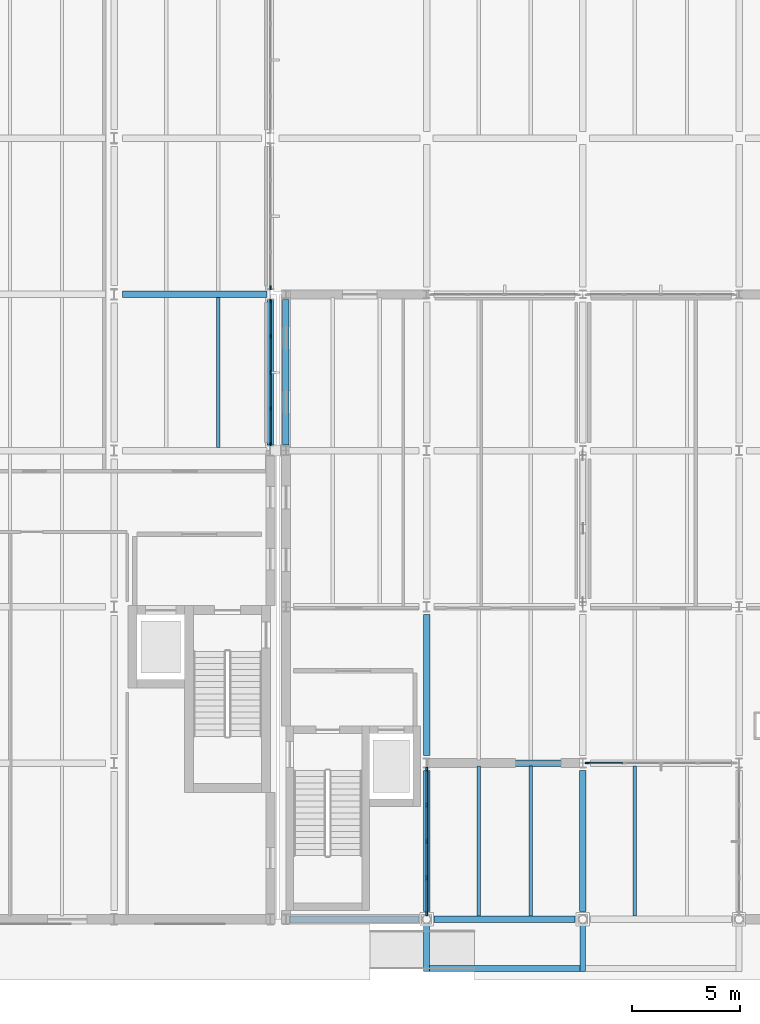
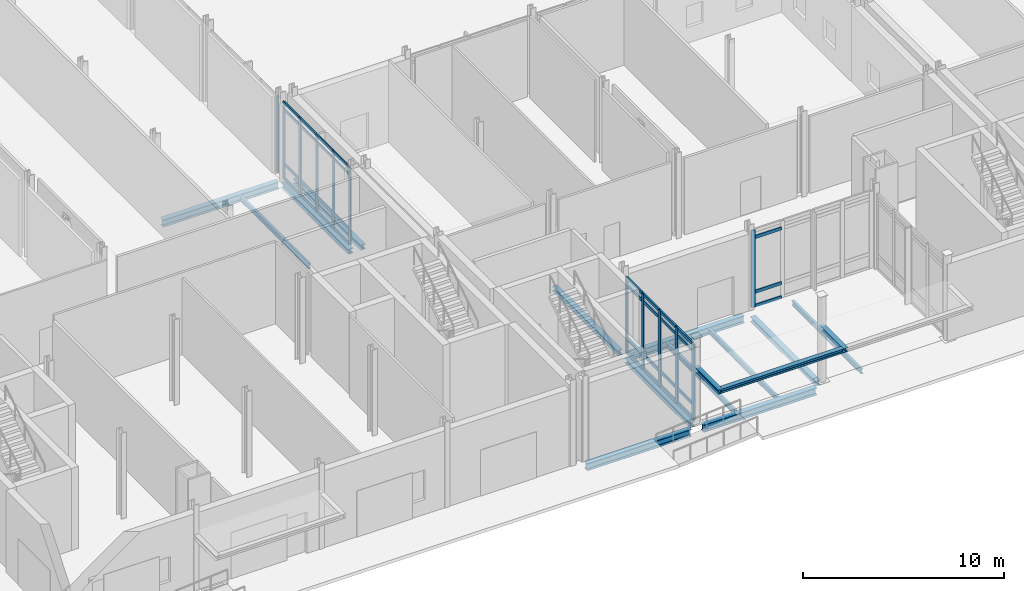
# One storey, part 13 of 89: 47 members, 16 beams, 4 elements without a shape of their own.
"""IFC4 building model written with IfcOpenShell, lengths in metres."""

from ifc_helpers import new_model, si_unit, direction, frame, origin, origin_2d, place, context, subcontext, project, spatial, rectangle, i_section, extrude, material, layer, layer_set, material_profile, profile_set, type_object, element, aggregate, save


model = new_model("IFC4")

# Units and contexts
model_context = context("Model", 3, precision=1e-05, world=origin(), true_north=direction((0.0, 1.0)))
body_context = subcontext(model_context, "Body", "Model", "MODEL_VIEW")
ifc_project = project(units=[si_unit("LENGTHUNIT", "METRE"), si_unit("AREAUNIT", "SQUARE_METRE"), si_unit("VOLUMEUNIT", "CUBIC_METRE"), si_unit("PLANEANGLEUNIT", "RADIAN"), si_unit("MASSUNIT", "GRAM", prefix="KILO")], contexts=[model_context])

# Site, building, storey
site_placement = place(None, origin())
site = spatial("IfcSite", under=ifc_project, at=site_placement, CompositionType="ELEMENT")
building_placement = place(site_placement, origin())
building = spatial("IfcBuilding", under=site, at=building_placement, Name="Zarrinpeak Specialist Clinic", CompositionType="ELEMENT")
storey_placement = place(building_placement, origin())
storey = spatial("IfcBuildingStorey", under=building, at=storey_placement, Name="L00", CompositionType="ELEMENT", Elevation=0.0)

# Beams
ifc_material_1 = material(Name="Steel S355", Category="steel")
ifc_material_profile_1 = material_profile(ifc_material_1, i_section(OverallWidth=0.260009765625, OverallDepth=0.25, WebThickness=0.007568359375, FlangeThickness=0.012451171875, FilletRadius=0.02392578125, at=origin_2d()), Name="HEA 260")
ifc_profile_set_1 = profile_set([ifc_material_profile_1], Name="Steel S355")
beam_type_1 = type_object("IfcBeamType", Name="BM-HEA260", PredefinedType="BEAM", material=ifc_profile_set_1)
for number, where, z_axis, x_axis, name in (
    (1, (36.0, 0.0, 3.27490234375), (0.0, -1.0, 0.0), (1.0, 0.0, 0.0), "V2 Promenade Arrival Loggia Forecourt Canopy Cantilever Bracket Beam 04"),
    (2, (43.199951171875, 0.0, 3.27490234375), (0.0, -1.0, 0.0), (1.0, 0.0, 0.0), "V2 Promenade Arrival Loggia Forecourt Canopy Cantilever Bracket Beam 05"),
):
    element("IfcBeam", number, at=place(storey_placement, frame(where, z_axis=z_axis, x_axis=x_axis)), inside=storey, type_object=beam_type_1, Name=name, PredefinedType="BEAM", context=body_context, shape_type="SweptSolid", body=[
        extrude(i_section(OverallWidth=0.260009765625, OverallDepth=0.25, WebThickness=0.007568359375, FlangeThickness=0.012451171875, FilletRadius=0.02392578125, at=origin_2d()), origin(), (0.0, 0.0, 1.0), 2.39990234375),
    ])
beam_1_placement = place(storey_placement, frame((36.1298828125, -2.27001953125, 3.27490234375), z_axis=(1.0, 0.0, 0.0), x_axis=(0.0, 1.0, 0.0)))
element("IfcBeam", 3, at=beam_1_placement, inside=storey, type_object=beam_type_1, Name="V2 Promenade Arrival Loggia Forecourt Canopy Front Edge Tie Beam 07", PredefinedType="BEAM", context=body_context, shape_type="SweptSolid", body=[
    extrude(i_section(OverallWidth=0.260009765625, OverallDepth=0.25, WebThickness=0.007568359375, FlangeThickness=0.012451171875, FilletRadius=0.02392578125, at=origin_2d()), origin(), (0.0, 0.0, 1.0), 6.940185546875),
])
ifc_material_profile_2 = material_profile(ifc_material_1, i_section(OverallWidth=0.300048828125, OverallDepth=0.2900390625, WebThickness=0.008544921875, FlangeThickness=0.013916015625, FilletRadius=0.027099609375, at=origin_2d()), Name="HEA 300")
ifc_profile_set_2 = profile_set([ifc_material_profile_2], Name="Steel S355")
beam_type_2 = type_object("IfcBeamType", Name="BM-HEA300", PredefinedType="BEAM", material=ifc_profile_set_2)
for number, where, z_axis, x_axis, name in (
    (4, (28.800048828125, 21.847900390625, -0.39501953125), (0.0, 1.0, 0.0), (-1.0, 0.0, 0.0), "L00 Primary Beam BM-L00-Y0254"),
    (5, (29.52001953125, 21.847900390625, -0.39501953125), (0.0, 1.0, 0.0), (-1.0, 0.0, 0.0), "L00 Primary Beam BM-L00-Y0262"),
):
    element("IfcBeam", number, at=place(storey_placement, frame(where, z_axis=z_axis, x_axis=x_axis)), inside=storey, type_object=beam_type_2, Name=name, PredefinedType="BEAM", context=body_context, shape_type="SweptSolid", body=[
        extrude(i_section(OverallWidth=0.300048828125, OverallDepth=0.2900390625, WebThickness=0.008544921875, FlangeThickness=0.013916015625, FilletRadius=0.027099609375, at=origin_2d()), origin(), (0.0, 0.0, 1.0), 6.7041015625),
    ])
beam_2_placement = place(storey_placement, frame((36.0, 0.347900390625, -0.39501953125), z_axis=(0.0, 1.0, 0.0), x_axis=(-1.0, 0.0, 0.0)))
element("IfcBeam", 6, at=beam_2_placement, inside=storey, type_object=beam_type_2, Name="L00 Primary Beam BM-L00-Y0263", PredefinedType="BEAM", context=body_context, shape_type="SweptSolid", body=[
    extrude(i_section(OverallWidth=0.300048828125, OverallDepth=0.2900390625, WebThickness=0.008544921875, FlangeThickness=0.013916015625, FilletRadius=0.027099609375, at=origin_2d()), origin(), (0.0, 0.0, 1.0), 6.504150390625),
])
beam_3_placement = place(storey_placement, frame((36.0, 7.548095703125, -0.39501953125), z_axis=(0.0, 1.0, 0.0), x_axis=(-1.0, 0.0, 0.0)))
element("IfcBeam", 7, at=beam_3_placement, inside=storey, type_object=beam_type_2, Name="L00 Primary Beam BM-L00-Y0264", PredefinedType="BEAM", context=body_context, shape_type="SweptSolid", body=[
    extrude(i_section(OverallWidth=0.300048828125, OverallDepth=0.2900390625, WebThickness=0.008544921875, FlangeThickness=0.013916015625, FilletRadius=0.027099609375, at=origin_2d()), origin(), (0.0, 0.0, 1.0), 6.50390625),
])
beam_4_placement = place(storey_placement, frame((43.199951171875, 0.347900390625, -0.39501953125), z_axis=(0.0, 1.0, 0.0), x_axis=(-1.0, 0.0, 0.0)))
element("IfcBeam", 8, at=beam_4_placement, inside=storey, type_object=beam_type_2, Name="L00 Primary Beam BM-L00-Y0278", PredefinedType="BEAM", context=body_context, shape_type="SweptSolid", body=[
    extrude(i_section(OverallWidth=0.300048828125, OverallDepth=0.2900390625, WebThickness=0.008544921875, FlangeThickness=0.013916015625, FilletRadius=0.027099609375, at=origin_2d()), origin(), (0.0, 0.0, 1.0), 6.504150390625),
])
ifc_material_profile_3 = material_profile(ifc_material_1, i_section(OverallWidth=0.300048828125, OverallDepth=0.43994140625, WebThickness=0.011474609375, FlangeThickness=0.02099609375, FilletRadius=0.027099609375, at=origin_2d()), Name="HEA 450")
ifc_profile_set_3 = profile_set([ifc_material_profile_3], Name="Steel S355")
beam_type_3 = type_object("IfcBeamType", Name="BM-HEA450", PredefinedType="BEAM", material=ifc_profile_set_3)
beam_5_placement = place(storey_placement, frame((29.66796875, 0.0, -0.469970703125), z_axis=(1.0, 0.0, 0.0), x_axis=(0.0, 1.0, 0.0)))
element("IfcBeam", 9, at=beam_5_placement, inside=storey, type_object=beam_type_3, Name="L00 Primary Floor Girder BM-L00-X0005", PredefinedType="BEAM", context=body_context, shape_type="SweptSolid", body=[
    extrude(i_section(OverallWidth=0.300048828125, OverallDepth=0.43994140625, WebThickness=0.011474609375, FlangeThickness=0.02099609375, FilletRadius=0.027099609375, at=origin_2d()), origin(), (0.0, 0.0, 1.0), 5.984130859375),
])
for number, where, z_axis, x_axis, name in (
    (10, (36.347900390625, 0.0, -0.469970703125), (1.0, 0.0, 0.0), (0.0, 1.0, 0.0), "L00 Primary Floor Girder BM-L00-X0006"),
    (11, (36.347900390625, 7.199951171875, -0.469970703125), (1.0, 0.0, 0.0), (0.0, 1.0, 0.0), "L00 Primary Floor Girder BM-L00-X0015"),
):
    element("IfcBeam", number, at=place(storey_placement, frame(where, z_axis=z_axis, x_axis=x_axis)), inside=storey, type_object=beam_type_3, Name=name, PredefinedType="BEAM", context=body_context, shape_type="SweptSolid", body=[
        extrude(i_section(OverallWidth=0.300048828125, OverallDepth=0.43994140625, WebThickness=0.011474609375, FlangeThickness=0.02099609375, FilletRadius=0.027099609375, at=origin_2d()), origin(), (0.0, 0.0, 1.0), 6.504150390625),
    ])
beam_6_placement = place(storey_placement, frame((21.998046875, 28.800048828125, -0.469970703125), z_axis=(1.0, 0.0, 0.0), x_axis=(0.0, 1.0, 0.0)))
element("IfcBeam", 12, at=beam_6_placement, inside=storey, type_object=beam_type_3, Name="L00 Primary Floor Girder BM-L00-X0043", PredefinedType="BEAM", context=body_context, shape_type="SweptSolid", body=[
    extrude(i_section(OverallWidth=0.300048828125, OverallDepth=0.43994140625, WebThickness=0.011474609375, FlangeThickness=0.02099609375, FilletRadius=0.027099609375, at=origin_2d()), origin(), (0.0, 0.0, 1.0), 6.654052734375),
])
ifc_material_profile_4 = material_profile(ifc_material_1, i_section(OverallWidth=0.14990234375, OverallDepth=0.300048828125, WebThickness=0.007080078125, FlangeThickness=0.0107421875, FilletRadius=0.014892578125, at=origin_2d()), Name="IPE 300")
ifc_profile_set_4 = profile_set([ifc_material_profile_4], Name="Steel S355")
beam_type_4 = type_object("IfcBeamType", Name="BM-JST300", PredefinedType="JOIST", material=ifc_profile_set_4)
for number, where, z_axis, x_axis, name in (
    (13, (26.39990234375, 21.748046875, -0.39990234375), (0.0, 1.0, 0.0), (-1.0, 0.0, 0.0), "L00 Composite Floor Joist JST-L00-0450"),
    (14, (38.39990234375, 0.14794921875, -0.39990234375), (0.0, 1.0, 0.0), (-1.0, 0.0, 0.0), "L00 Composite Floor Joist JST-L00-0461"),
    (15, (40.800048828125, 0.14794921875, -0.39990234375), (0.0, 1.0, 0.0), (-1.0, 0.0, 0.0), "L00 Composite Floor Joist JST-L00-0462"),
    (16, (45.60009765625, 0.14794921875, -0.39990234375), (0.0, 1.0, 0.0), (-1.0, 0.0, 0.0), "L00 Composite Floor Joist JST-L00-0469"),
):
    element("IfcBeam", number, at=place(storey_placement, frame(where, z_axis=z_axis, x_axis=x_axis)), inside=storey, type_object=beam_type_4, Name=name, PredefinedType="JOIST", context=body_context, shape_type="SweptSolid", body=[
        extrude(i_section(OverallWidth=0.14990234375, OverallDepth=0.300048828125, WebThickness=0.007080078125, FlangeThickness=0.0107421875, FilletRadius=0.014892578125, at=origin_2d()), origin(), (0.0, 0.0, 1.0), 6.904052734375),
    ])

# Curtain wall, members
ifc_material_2 = material(Name="Anodised Aluminium Alloy 6063-T6", Category="aluminium")
ifc_layer_1 = layer(ifc_material_2, 0.179931640625)
ifc_layer_set_1 = layer_set([ifc_layer_1], Name="Anodised Aluminium Alloy 6063-T6")
curtain_wall_type_1 = type_object("IfcCurtainWallType", Name="CW-COURT", PredefinedType="NOTDEFINED", material=ifc_layer_set_1)
curtain_wall_1_placement = place(storey_placement, origin())
curtain_wall_1 = element("IfcCurtainWall", 17, at=curtain_wall_1_placement, inside=storey, type_object=curtain_wall_type_1, Name="L00 V1 Unitised Curtain Wall CW-L00-V1-003", PredefinedType="NOTDEFINED")
ifc_material_profile_5 = material_profile(ifc_material_2, rectangle(XDim=0.074951171875, YDim=0.179931640625, at=origin_2d()), Name="ALU 75x180")
ifc_profile_set_5 = profile_set([ifc_material_profile_5], Name="Anodised Aluminium Alloy 6063-T6")
member_type_1 = type_object("IfcMemberType", Name="CWM-75", PredefinedType="MULLION", material=ifc_profile_set_5)
member_1_placement = place(storey_placement, frame((28.800048828125, 21.91259765625, 0.0), z_axis=(0.0, 0.0, 1.0), x_axis=(-1.0, 0.0, 0.0)))
member_1 = element("IfcMember", 18, at=member_1_placement, type_object=member_type_1, Name="CW-01 mullion 1", PredefinedType="MULLION", context=body_context, shape_type="SweptSolid", body=[
    extrude(rectangle(XDim=0.074951171875, YDim=0.179931640625, at=origin_2d()), origin(), (0.0, 0.0, 1.0), 4.6650390625),
])
member_2_placement = place(storey_placement, frame((28.800048828125, 23.53759765625, 0.0), z_axis=(0.0, 0.0, 1.0), x_axis=(-1.0, 0.0, 0.0)))
member_2 = element("IfcMember", 19, at=member_2_placement, type_object=member_type_1, Name="CW-01 mullion 2", PredefinedType="MULLION", context=body_context, shape_type="SweptSolid", body=[
    extrude(rectangle(XDim=0.074951171875, YDim=0.179931640625, at=origin_2d()), origin(), (0.0, 0.0, 1.0), 4.6650390625),
])
member_3_placement = place(storey_placement, frame((28.800048828125, 25.199951171875, 0.0), z_axis=(0.0, 0.0, 1.0), x_axis=(-1.0, 0.0, 0.0)))
member_3 = element("IfcMember", 20, at=member_3_placement, type_object=member_type_1, Name="CW-01 mullion 3", PredefinedType="MULLION", context=body_context, shape_type="SweptSolid", body=[
    extrude(rectangle(XDim=0.074951171875, YDim=0.179931640625, at=origin_2d()), origin(), (0.0, 0.0, 1.0), 4.6650390625),
])
member_4_placement = place(storey_placement, frame((28.800048828125, 26.862548828125, 0.0), z_axis=(0.0, 0.0, 1.0), x_axis=(-1.0, 0.0, 0.0)))
member_4 = element("IfcMember", 21, at=member_4_placement, type_object=member_type_1, Name="CW-01 mullion 4", PredefinedType="MULLION", context=body_context, shape_type="SweptSolid", body=[
    extrude(rectangle(XDim=0.074951171875, YDim=0.179931640625, at=origin_2d()), origin(), (0.0, 0.0, 1.0), 4.6650390625),
])
member_5_placement = place(storey_placement, frame((28.800048828125, 28.487548828125, 0.0), z_axis=(0.0, 0.0, 1.0), x_axis=(-1.0, 0.0, 0.0)))
member_5 = element("IfcMember", 22, at=member_5_placement, type_object=member_type_1, Name="CW-01 mullion 5", PredefinedType="MULLION", context=body_context, shape_type="SweptSolid", body=[
    extrude(rectangle(XDim=0.074951171875, YDim=0.179931640625, at=origin_2d()), origin(), (0.0, 0.0, 1.0), 4.6650390625),
])

# Curtain wall, member
curtain_wall_2_placement = place(storey_placement, origin())
curtain_wall_2 = element("IfcCurtainWall", 23, at=curtain_wall_2_placement, inside=storey, type_object=curtain_wall_type_1, Name="L00 V1 Unitised Curtain Wall CW-L00-V1-004", PredefinedType="NOTDEFINED")
member_6_placement = place(storey_placement, frame((28.800048828125, 29.112548828125, 0.0), z_axis=(0.0, 0.0, 1.0), x_axis=(-1.0, 0.0, 0.0)))
member_6 = element("IfcMember", 24, at=member_6_placement, type_object=member_type_1, Name="CW-01 mullion 1", PredefinedType="MULLION", context=body_context, shape_type="SweptSolid", body=[
    extrude(rectangle(XDim=0.074951171875, YDim=0.179931640625, at=origin_2d()), origin(), (0.0, 0.0, 1.0), 4.594970703125),
])
aggregate(curtain_wall_2, [member_6])

ifc_layer_2 = layer(ifc_material_2, 0.18994140625)
ifc_layer_set_2 = layer_set([ifc_layer_2], Name="Anodised Aluminium Alloy 6063-T6")
curtain_wall_type_2 = type_object("IfcCurtainWallType", Name="CW-LOGGIA", PredefinedType="NOTDEFINED", material=ifc_layer_set_2)
curtain_wall_3_placement = place(storey_placement, origin())
curtain_wall_3 = element("IfcCurtainWall", 25, at=curtain_wall_3_placement, inside=storey, type_object=curtain_wall_type_2, Name="L00 V2 Unitised Curtain Wall CW-L00-V2-040", PredefinedType="NOTDEFINED")
ifc_material_profile_6 = material_profile(ifc_material_2, rectangle(XDim=0.090087890625, YDim=0.219970703125, at=origin_2d()), Name="ALU 90x220")
ifc_profile_set_6 = profile_set([ifc_material_profile_6], Name="Anodised Aluminium Alloy 6063-T6")
member_type_2 = type_object("IfcMemberType", Name="CWM-90", PredefinedType="MULLION", material=ifc_profile_set_6)
member_7_placement = place(storey_placement, frame((43.419921875, 7.199951171875, 0.0), z_axis=(0.0, 0.0, 1.0), x_axis=(0.0, 1.0, 0.0)))
member_7 = element("IfcMember", 26, at=member_7_placement, type_object=member_type_2, Name="CW-04 mullion 1", PredefinedType="MULLION", context=body_context, shape_type="SweptSolid", body=[
    extrude(rectangle(XDim=0.090087890625, YDim=0.219970703125, at=origin_2d()), origin(), (0.0, 0.0, 1.0), 4.6650390625),
])

# Curtain wall, members
curtain_wall_4_placement = place(storey_placement, origin())
curtain_wall_4 = element("IfcCurtainWall", 27, at=curtain_wall_4_placement, inside=storey, type_object=curtain_wall_type_2, Name="L00 V2 Unitised Curtain Wall CW-L00-V2-041", PredefinedType="NOTDEFINED")
member_8_placement = place(storey_placement, frame((36.0, 0.273193359375, 0.0), z_axis=(0.0, 0.0, 1.0), x_axis=(-1.0, 0.0, 0.0)))
member_8 = element("IfcMember", 28, at=member_8_placement, type_object=member_type_2, Name="CW-04 mullion 1", PredefinedType="MULLION", context=body_context, shape_type="SweptSolid", body=[
    extrude(rectangle(XDim=0.090087890625, YDim=0.219970703125, at=origin_2d()), origin(), (0.0, 0.0, 1.0), 4.594970703125),
])
member_9_placement = place(storey_placement, frame((36.0, 1.90869140625, 0.0), z_axis=(0.0, 0.0, 1.0), x_axis=(-1.0, 0.0, 0.0)))
member_9 = element("IfcMember", 29, at=member_9_placement, type_object=member_type_2, Name="CW-04 mullion 2", PredefinedType="MULLION", context=body_context, shape_type="SweptSolid", body=[
    extrude(rectangle(XDim=0.090087890625, YDim=0.219970703125, at=origin_2d()), origin(), (0.0, 0.0, 1.0), 4.594970703125),
])
member_10_placement = place(storey_placement, frame((36.0, 3.589111328125, 0.0), z_axis=(0.0, 0.0, 1.0), x_axis=(-1.0, 0.0, 0.0)))
member_10 = element("IfcMember", 30, at=member_10_placement, type_object=member_type_2, Name="CW-04 mullion 3", PredefinedType="MULLION", context=body_context, shape_type="SweptSolid", body=[
    extrude(rectangle(XDim=0.090087890625, YDim=0.219970703125, at=origin_2d()), origin(), (0.0, 0.0, 1.0), 4.594970703125),
])
member_11_placement = place(storey_placement, frame((36.0, 5.26953125, 0.0), z_axis=(0.0, 0.0, 1.0), x_axis=(-1.0, 0.0, 0.0)))
member_11 = element("IfcMember", 31, at=member_11_placement, type_object=member_type_2, Name="CW-04 mullion 4", PredefinedType="MULLION", context=body_context, shape_type="SweptSolid", body=[
    extrude(rectangle(XDim=0.090087890625, YDim=0.219970703125, at=origin_2d()), origin(), (0.0, 0.0, 1.0), 4.594970703125),
])
member_12_placement = place(storey_placement, frame((36.0, 6.905029296875, 0.0), z_axis=(0.0, 0.0, 1.0), x_axis=(-1.0, 0.0, 0.0)))
member_12 = element("IfcMember", 32, at=member_12_placement, type_object=member_type_2, Name="CW-04 mullion 5", PredefinedType="MULLION", context=body_context, shape_type="SweptSolid", body=[
    extrude(rectangle(XDim=0.090087890625, YDim=0.219970703125, at=origin_2d()), origin(), (0.0, 0.0, 1.0), 4.594970703125),
])

# Member
ifc_material_profile_7 = material_profile(ifc_material_2, rectangle(XDim=0.074951171875, YDim=0.159912109375, at=origin_2d()), Name="ALU 75x160")
ifc_profile_set_7 = profile_set([ifc_material_profile_7], Name="Anodised Aluminium Alloy 6063-T6")
member_type_3 = type_object("IfcMemberType", Name="CWT-75", PredefinedType="USERDEFINED", material=ifc_profile_set_7)
member_13_placement = place(storey_placement, frame((28.800048828125, 21.949951171875, 0.03759765625), z_axis=(0.0, 1.0, 0.0), x_axis=(-1.0, 0.0, 0.0)))
member_13 = element("IfcMember", 33, at=member_13_placement, type_object=member_type_3, Name="CW-01 transom 1.1", ObjectType="TRANSOM", PredefinedType="USERDEFINED", context=body_context, shape_type="SweptSolid", body=[
    extrude(rectangle(XDim=0.074951171875, YDim=0.159912109375, at=origin_2d()), origin(), (0.0, 0.0, 1.0), 1.550048828125),
])

member_14_placement = place(storey_placement, frame((28.800048828125, 21.949951171875, 0.89990234375), z_axis=(0.0, 1.0, 0.0), x_axis=(-1.0, 0.0, 0.0)))
member_14 = element("IfcMember", 34, at=member_14_placement, type_object=member_type_3, Name="CW-01 transom 1.2", ObjectType="TRANSOM", PredefinedType="USERDEFINED", context=body_context, shape_type="SweptSolid", body=[
    extrude(rectangle(XDim=0.074951171875, YDim=0.159912109375, at=origin_2d()), origin(), (0.0, 0.0, 1.0), 1.550048828125),
])

member_15_placement = place(storey_placement, frame((28.800048828125, 21.949951171875, 4.215087890625), z_axis=(0.0, 1.0, 0.0), x_axis=(-1.0, 0.0, 0.0)))
member_15 = element("IfcMember", 35, at=member_15_placement, type_object=member_type_3, Name="CW-01 transom 1.3", ObjectType="TRANSOM", PredefinedType="USERDEFINED", context=body_context, shape_type="SweptSolid", body=[
    extrude(rectangle(XDim=0.074951171875, YDim=0.159912109375, at=origin_2d()), origin(), (0.0, 0.0, 1.0), 1.550048828125),
])

member_16_placement = place(storey_placement, frame((28.800048828125, 21.949951171875, 4.62744140625), z_axis=(0.0, 1.0, 0.0), x_axis=(-1.0, 0.0, 0.0)))
member_16 = element("IfcMember", 36, at=member_16_placement, type_object=member_type_3, Name="CW-01 transom 1.4", ObjectType="TRANSOM", PredefinedType="USERDEFINED", context=body_context, shape_type="SweptSolid", body=[
    extrude(rectangle(XDim=0.074951171875, YDim=0.159912109375, at=origin_2d()), origin(), (0.0, 0.0, 1.0), 1.550048828125),
])

member_17_placement = place(storey_placement, frame((28.800048828125, 23.574951171875, 0.03759765625), z_axis=(0.0, 1.0, 0.0), x_axis=(-1.0, 0.0, 0.0)))
member_17 = element("IfcMember", 37, at=member_17_placement, type_object=member_type_3, Name="CW-01 transom 2.1", ObjectType="TRANSOM", PredefinedType="USERDEFINED", context=body_context, shape_type="SweptSolid", body=[
    extrude(rectangle(XDim=0.074951171875, YDim=0.159912109375, at=origin_2d()), origin(), (0.0, 0.0, 1.0), 1.587646484375),
])

member_18_placement = place(storey_placement, frame((28.800048828125, 23.574951171875, 0.89990234375), z_axis=(0.0, 1.0, 0.0), x_axis=(-1.0, 0.0, 0.0)))
member_18 = element("IfcMember", 38, at=member_18_placement, type_object=member_type_3, Name="CW-01 transom 2.2", ObjectType="TRANSOM", PredefinedType="USERDEFINED", context=body_context, shape_type="SweptSolid", body=[
    extrude(rectangle(XDim=0.074951171875, YDim=0.159912109375, at=origin_2d()), origin(), (0.0, 0.0, 1.0), 1.587646484375),
])

member_19_placement = place(storey_placement, frame((28.800048828125, 23.574951171875, 4.215087890625), z_axis=(0.0, 1.0, 0.0), x_axis=(-1.0, 0.0, 0.0)))
member_19 = element("IfcMember", 39, at=member_19_placement, type_object=member_type_3, Name="CW-01 transom 2.3", ObjectType="TRANSOM", PredefinedType="USERDEFINED", context=body_context, shape_type="SweptSolid", body=[
    extrude(rectangle(XDim=0.074951171875, YDim=0.159912109375, at=origin_2d()), origin(), (0.0, 0.0, 1.0), 1.587646484375),
])

member_20_placement = place(storey_placement, frame((28.800048828125, 23.574951171875, 4.62744140625), z_axis=(0.0, 1.0, 0.0), x_axis=(-1.0, 0.0, 0.0)))
member_20 = element("IfcMember", 40, at=member_20_placement, type_object=member_type_3, Name="CW-01 transom 2.4", ObjectType="TRANSOM", PredefinedType="USERDEFINED", context=body_context, shape_type="SweptSolid", body=[
    extrude(rectangle(XDim=0.074951171875, YDim=0.159912109375, at=origin_2d()), origin(), (0.0, 0.0, 1.0), 1.587646484375),
])

member_21_placement = place(storey_placement, frame((28.800048828125, 25.237548828125, 0.03759765625), z_axis=(0.0, 1.0, 0.0), x_axis=(-1.0, 0.0, 0.0)))
member_21 = element("IfcMember", 41, at=member_21_placement, type_object=member_type_3, Name="CW-01 transom 3.1", ObjectType="TRANSOM", PredefinedType="USERDEFINED", context=body_context, shape_type="SweptSolid", body=[
    extrude(rectangle(XDim=0.074951171875, YDim=0.159912109375, at=origin_2d()), origin(), (0.0, 0.0, 1.0), 1.58740234375),
])

member_22_placement = place(storey_placement, frame((28.800048828125, 25.237548828125, 0.89990234375), z_axis=(0.0, 1.0, 0.0), x_axis=(-1.0, 0.0, 0.0)))
member_22 = element("IfcMember", 42, at=member_22_placement, type_object=member_type_3, Name="CW-01 transom 3.2", ObjectType="TRANSOM", PredefinedType="USERDEFINED", context=body_context, shape_type="SweptSolid", body=[
    extrude(rectangle(XDim=0.074951171875, YDim=0.159912109375, at=origin_2d()), origin(), (0.0, 0.0, 1.0), 1.58740234375),
])

member_23_placement = place(storey_placement, frame((28.800048828125, 25.237548828125, 4.215087890625), z_axis=(0.0, 1.0, 0.0), x_axis=(-1.0, 0.0, 0.0)))
member_23 = element("IfcMember", 43, at=member_23_placement, type_object=member_type_3, Name="CW-01 transom 3.3", ObjectType="TRANSOM", PredefinedType="USERDEFINED", context=body_context, shape_type="SweptSolid", body=[
    extrude(rectangle(XDim=0.074951171875, YDim=0.159912109375, at=origin_2d()), origin(), (0.0, 0.0, 1.0), 1.58740234375),
])

member_24_placement = place(storey_placement, frame((28.800048828125, 25.237548828125, 4.62744140625), z_axis=(0.0, 1.0, 0.0), x_axis=(-1.0, 0.0, 0.0)))
member_24 = element("IfcMember", 44, at=member_24_placement, type_object=member_type_3, Name="CW-01 transom 3.4", ObjectType="TRANSOM", PredefinedType="USERDEFINED", context=body_context, shape_type="SweptSolid", body=[
    extrude(rectangle(XDim=0.074951171875, YDim=0.159912109375, at=origin_2d()), origin(), (0.0, 0.0, 1.0), 1.58740234375),
])

member_25_placement = place(storey_placement, frame((28.800048828125, 26.89990234375, 0.03759765625), z_axis=(0.0, 1.0, 0.0), x_axis=(-1.0, 0.0, 0.0)))
member_25 = element("IfcMember", 45, at=member_25_placement, type_object=member_type_3, Name="CW-01 transom 4.1", ObjectType="TRANSOM", PredefinedType="USERDEFINED", context=body_context, shape_type="SweptSolid", body=[
    extrude(rectangle(XDim=0.074951171875, YDim=0.159912109375, at=origin_2d()), origin(), (0.0, 0.0, 1.0), 1.550048828125),
])

member_26_placement = place(storey_placement, frame((28.800048828125, 26.89990234375, 0.89990234375), z_axis=(0.0, 1.0, 0.0), x_axis=(-1.0, 0.0, 0.0)))
member_26 = element("IfcMember", 46, at=member_26_placement, type_object=member_type_3, Name="CW-01 transom 4.2", ObjectType="TRANSOM", PredefinedType="USERDEFINED", context=body_context, shape_type="SweptSolid", body=[
    extrude(rectangle(XDim=0.074951171875, YDim=0.159912109375, at=origin_2d()), origin(), (0.0, 0.0, 1.0), 1.550048828125),
])

member_27_placement = place(storey_placement, frame((28.800048828125, 26.89990234375, 4.215087890625), z_axis=(0.0, 1.0, 0.0), x_axis=(-1.0, 0.0, 0.0)))
member_27 = element("IfcMember", 47, at=member_27_placement, type_object=member_type_3, Name="CW-01 transom 4.3", ObjectType="TRANSOM", PredefinedType="USERDEFINED", context=body_context, shape_type="SweptSolid", body=[
    extrude(rectangle(XDim=0.074951171875, YDim=0.159912109375, at=origin_2d()), origin(), (0.0, 0.0, 1.0), 1.550048828125),
])

member_28_placement = place(storey_placement, frame((28.800048828125, 26.89990234375, 4.62744140625), z_axis=(0.0, 1.0, 0.0), x_axis=(-1.0, 0.0, 0.0)))
member_28 = element("IfcMember", 48, at=member_28_placement, type_object=member_type_3, Name="CW-01 transom 4.4", ObjectType="TRANSOM", PredefinedType="USERDEFINED", context=body_context, shape_type="SweptSolid", body=[
    extrude(rectangle(XDim=0.074951171875, YDim=0.159912109375, at=origin_2d()), origin(), (0.0, 0.0, 1.0), 1.550048828125),
])

aggregate(curtain_wall_1, [member_1, member_2, member_3, member_4, member_5, member_13, member_14, member_15, member_16, member_17, member_18, member_19, member_20, member_21, member_22, member_23, member_24, member_25, member_26, member_27, member_28])

ifc_material_profile_8 = material_profile(ifc_material_2, rectangle(XDim=0.090087890625, YDim=0.18994140625, at=origin_2d()), Name="ALU 90x190")
ifc_profile_set_8 = profile_set([ifc_material_profile_8], Name="Anodised Aluminium Alloy 6063-T6")
member_type_4 = type_object("IfcMemberType", Name="CWT-90", PredefinedType="USERDEFINED", material=ifc_profile_set_8)
member_29_placement = place(storey_placement, frame((43.465087890625, 7.199951171875, 0.044921875), z_axis=(1.0, 0.0, 0.0), x_axis=(0.0, 1.0, 0.0)))
member_29 = element("IfcMember", 49, at=member_29_placement, type_object=member_type_4, Name="CW-04 transom 1.1", ObjectType="TRANSOM", PredefinedType="USERDEFINED", context=body_context, shape_type="SweptSolid", body=[
    extrude(rectangle(XDim=0.090087890625, YDim=0.18994140625, at=origin_2d()), origin(), (0.0, 0.0, 1.0), 1.577392578125),
])

member_30_placement = place(storey_placement, frame((43.465087890625, 7.199951171875, 0.89990234375), z_axis=(1.0, 0.0, 0.0), x_axis=(0.0, 1.0, 0.0)))
member_30 = element("IfcMember", 50, at=member_30_placement, type_object=member_type_4, Name="CW-04 transom 1.2", ObjectType="TRANSOM", PredefinedType="USERDEFINED", context=body_context, shape_type="SweptSolid", body=[
    extrude(rectangle(XDim=0.090087890625, YDim=0.18994140625, at=origin_2d()), origin(), (0.0, 0.0, 1.0), 1.577392578125),
])

member_31_placement = place(storey_placement, frame((43.465087890625, 7.199951171875, 4.215087890625), z_axis=(1.0, 0.0, 0.0), x_axis=(0.0, 1.0, 0.0)))
member_31 = element("IfcMember", 51, at=member_31_placement, type_object=member_type_4, Name="CW-04 transom 1.3", ObjectType="TRANSOM", PredefinedType="USERDEFINED", context=body_context, shape_type="SweptSolid", body=[
    extrude(rectangle(XDim=0.090087890625, YDim=0.18994140625, at=origin_2d()), origin(), (0.0, 0.0, 1.0), 1.577392578125),
])

aggregate(curtain_wall_3, [member_7, member_29, member_30, member_31])

member_32_placement = place(storey_placement, frame((36.0, 0.318115234375, 0.044921875), z_axis=(0.0, 1.0, 0.0), x_axis=(-1.0, 0.0, 0.0)))
member_32 = element("IfcMember", 52, at=member_32_placement, type_object=member_type_4, Name="CW-04 transom 1.1", ObjectType="TRANSOM", PredefinedType="USERDEFINED", context=body_context, shape_type="SweptSolid", body=[
    extrude(rectangle(XDim=0.090087890625, YDim=0.18994140625, at=origin_2d()), origin(), (0.0, 0.0, 1.0), 1.545654296875),
])

member_33_placement = place(storey_placement, frame((36.0, 0.318115234375, 0.89990234375), z_axis=(0.0, 1.0, 0.0), x_axis=(-1.0, 0.0, 0.0)))
member_33 = element("IfcMember", 53, at=member_33_placement, type_object=member_type_4, Name="CW-04 transom 1.2", ObjectType="TRANSOM", PredefinedType="USERDEFINED", context=body_context, shape_type="SweptSolid", body=[
    extrude(rectangle(XDim=0.090087890625, YDim=0.18994140625, at=origin_2d()), origin(), (0.0, 0.0, 1.0), 1.545654296875),
])

member_34_placement = place(storey_placement, frame((36.0, 0.318115234375, 4.14501953125), z_axis=(0.0, 1.0, 0.0), x_axis=(-1.0, 0.0, 0.0)))
member_34 = element("IfcMember", 54, at=member_34_placement, type_object=member_type_4, Name="CW-04 transom 1.3", ObjectType="TRANSOM", PredefinedType="USERDEFINED", context=body_context, shape_type="SweptSolid", body=[
    extrude(rectangle(XDim=0.090087890625, YDim=0.18994140625, at=origin_2d()), origin(), (0.0, 0.0, 1.0), 1.545654296875),
])

member_35_placement = place(storey_placement, frame((36.0, 0.318115234375, 4.550048828125), z_axis=(0.0, 1.0, 0.0), x_axis=(-1.0, 0.0, 0.0)))
member_35 = element("IfcMember", 55, at=member_35_placement, type_object=member_type_4, Name="CW-04 transom 1.4", ObjectType="TRANSOM", PredefinedType="USERDEFINED", context=body_context, shape_type="SweptSolid", body=[
    extrude(rectangle(XDim=0.090087890625, YDim=0.18994140625, at=origin_2d()), origin(), (0.0, 0.0, 1.0), 1.545654296875),
])

member_36_placement = place(storey_placement, frame((36.0, 1.95361328125, 0.044921875), z_axis=(0.0, 1.0, 0.0), x_axis=(-1.0, 0.0, 0.0)))
member_36 = element("IfcMember", 56, at=member_36_placement, type_object=member_type_4, Name="CW-04 transom 2.1", ObjectType="TRANSOM", PredefinedType="USERDEFINED", context=body_context, shape_type="SweptSolid", body=[
    extrude(rectangle(XDim=0.090087890625, YDim=0.18994140625, at=origin_2d()), origin(), (0.0, 0.0, 1.0), 1.590576171875),
])

member_37_placement = place(storey_placement, frame((36.0, 1.95361328125, 0.89990234375), z_axis=(0.0, 1.0, 0.0), x_axis=(-1.0, 0.0, 0.0)))
member_37 = element("IfcMember", 57, at=member_37_placement, type_object=member_type_4, Name="CW-04 transom 2.2", ObjectType="TRANSOM", PredefinedType="USERDEFINED", context=body_context, shape_type="SweptSolid", body=[
    extrude(rectangle(XDim=0.090087890625, YDim=0.18994140625, at=origin_2d()), origin(), (0.0, 0.0, 1.0), 1.590576171875),
])

member_38_placement = place(storey_placement, frame((36.0, 1.95361328125, 4.14501953125), z_axis=(0.0, 1.0, 0.0), x_axis=(-1.0, 0.0, 0.0)))
member_38 = element("IfcMember", 58, at=member_38_placement, type_object=member_type_4, Name="CW-04 transom 2.3", ObjectType="TRANSOM", PredefinedType="USERDEFINED", context=body_context, shape_type="SweptSolid", body=[
    extrude(rectangle(XDim=0.090087890625, YDim=0.18994140625, at=origin_2d()), origin(), (0.0, 0.0, 1.0), 1.590576171875),
])

member_39_placement = place(storey_placement, frame((36.0, 1.95361328125, 4.550048828125), z_axis=(0.0, 1.0, 0.0), x_axis=(-1.0, 0.0, 0.0)))
member_39 = element("IfcMember", 59, at=member_39_placement, type_object=member_type_4, Name="CW-04 transom 2.4", ObjectType="TRANSOM", PredefinedType="USERDEFINED", context=body_context, shape_type="SweptSolid", body=[
    extrude(rectangle(XDim=0.090087890625, YDim=0.18994140625, at=origin_2d()), origin(), (0.0, 0.0, 1.0), 1.590576171875),
])

member_40_placement = place(storey_placement, frame((36.0, 3.634033203125, 0.044921875), z_axis=(0.0, 1.0, 0.0), x_axis=(-1.0, 0.0, 0.0)))
member_40 = element("IfcMember", 60, at=member_40_placement, type_object=member_type_4, Name="CW-04 transom 3.1", ObjectType="TRANSOM", PredefinedType="USERDEFINED", context=body_context, shape_type="SweptSolid", body=[
    extrude(rectangle(XDim=0.090087890625, YDim=0.18994140625, at=origin_2d()), origin(), (0.0, 0.0, 1.0), 1.590576171875),
])

member_41_placement = place(storey_placement, frame((36.0, 3.634033203125, 0.89990234375), z_axis=(0.0, 1.0, 0.0), x_axis=(-1.0, 0.0, 0.0)))
member_41 = element("IfcMember", 61, at=member_41_placement, type_object=member_type_4, Name="CW-04 transom 3.2", ObjectType="TRANSOM", PredefinedType="USERDEFINED", context=body_context, shape_type="SweptSolid", body=[
    extrude(rectangle(XDim=0.090087890625, YDim=0.18994140625, at=origin_2d()), origin(), (0.0, 0.0, 1.0), 1.590576171875),
])

member_42_placement = place(storey_placement, frame((36.0, 3.634033203125, 4.14501953125), z_axis=(0.0, 1.0, 0.0), x_axis=(-1.0, 0.0, 0.0)))
member_42 = element("IfcMember", 62, at=member_42_placement, type_object=member_type_4, Name="CW-04 transom 3.3", ObjectType="TRANSOM", PredefinedType="USERDEFINED", context=body_context, shape_type="SweptSolid", body=[
    extrude(rectangle(XDim=0.090087890625, YDim=0.18994140625, at=origin_2d()), origin(), (0.0, 0.0, 1.0), 1.590576171875),
])

member_43_placement = place(storey_placement, frame((36.0, 3.634033203125, 4.550048828125), z_axis=(0.0, 1.0, 0.0), x_axis=(-1.0, 0.0, 0.0)))
member_43 = element("IfcMember", 63, at=member_43_placement, type_object=member_type_4, Name="CW-04 transom 3.4", ObjectType="TRANSOM", PredefinedType="USERDEFINED", context=body_context, shape_type="SweptSolid", body=[
    extrude(rectangle(XDim=0.090087890625, YDim=0.18994140625, at=origin_2d()), origin(), (0.0, 0.0, 1.0), 1.590576171875),
])

member_44_placement = place(storey_placement, frame((36.0, 5.314453125, 0.044921875), z_axis=(0.0, 1.0, 0.0), x_axis=(-1.0, 0.0, 0.0)))
member_44 = element("IfcMember", 64, at=member_44_placement, type_object=member_type_4, Name="CW-04 transom 4.1", ObjectType="TRANSOM", PredefinedType="USERDEFINED", context=body_context, shape_type="SweptSolid", body=[
    extrude(rectangle(XDim=0.090087890625, YDim=0.18994140625, at=origin_2d()), origin(), (0.0, 0.0, 1.0), 1.545654296875),
])

member_45_placement = place(storey_placement, frame((36.0, 5.314453125, 0.89990234375), z_axis=(0.0, 1.0, 0.0), x_axis=(-1.0, 0.0, 0.0)))
member_45 = element("IfcMember", 65, at=member_45_placement, type_object=member_type_4, Name="CW-04 transom 4.2", ObjectType="TRANSOM", PredefinedType="USERDEFINED", context=body_context, shape_type="SweptSolid", body=[
    extrude(rectangle(XDim=0.090087890625, YDim=0.18994140625, at=origin_2d()), origin(), (0.0, 0.0, 1.0), 1.545654296875),
])

member_46_placement = place(storey_placement, frame((36.0, 5.314453125, 4.14501953125), z_axis=(0.0, 1.0, 0.0), x_axis=(-1.0, 0.0, 0.0)))
member_46 = element("IfcMember", 66, at=member_46_placement, type_object=member_type_4, Name="CW-04 transom 4.3", ObjectType="TRANSOM", PredefinedType="USERDEFINED", context=body_context, shape_type="SweptSolid", body=[
    extrude(rectangle(XDim=0.090087890625, YDim=0.18994140625, at=origin_2d()), origin(), (0.0, 0.0, 1.0), 1.545654296875),
])

member_47_placement = place(storey_placement, frame((36.0, 5.314453125, 4.550048828125), z_axis=(0.0, 1.0, 0.0), x_axis=(-1.0, 0.0, 0.0)))
member_47 = element("IfcMember", 67, at=member_47_placement, type_object=member_type_4, Name="CW-04 transom 4.4", ObjectType="TRANSOM", PredefinedType="USERDEFINED", context=body_context, shape_type="SweptSolid", body=[
    extrude(rectangle(XDim=0.090087890625, YDim=0.18994140625, at=origin_2d()), origin(), (0.0, 0.0, 1.0), 1.545654296875),
])

aggregate(curtain_wall_4, [member_8, member_9, member_10, member_11, member_12, member_32, member_33, member_34, member_35, member_36, member_37, member_38, member_39, member_40, member_41, member_42, member_43, member_44, member_45, member_46, member_47])

save(model, "model.ifc")
